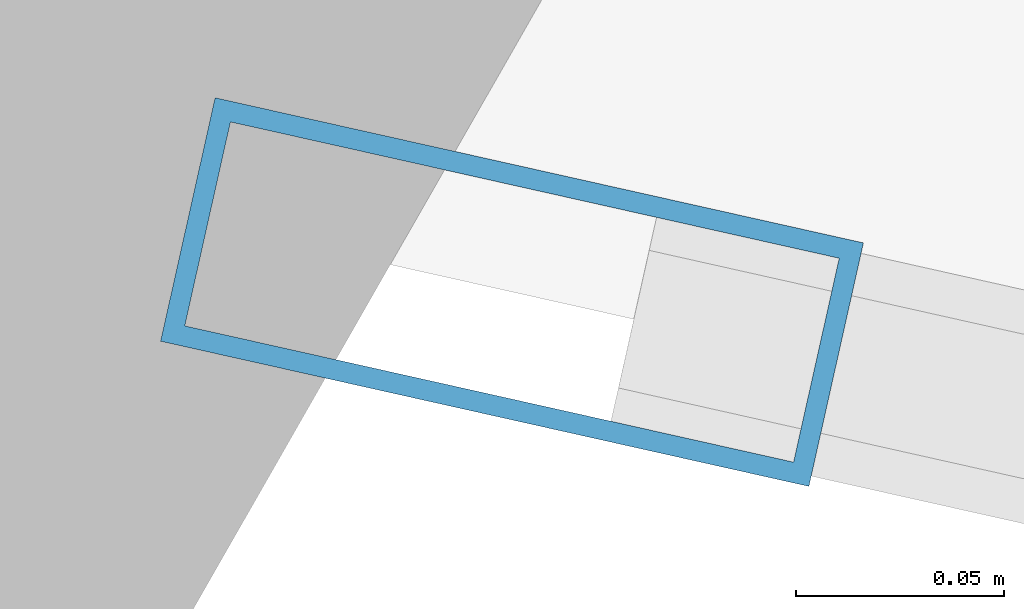
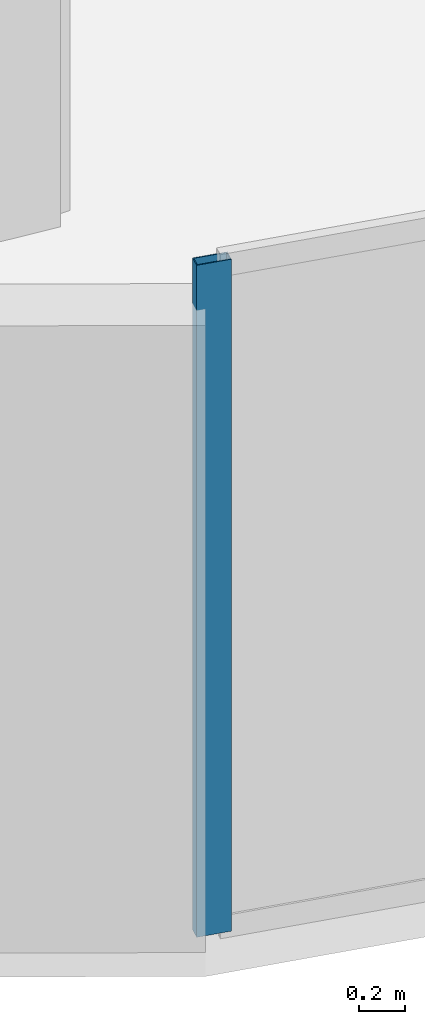
# One storey, part 2 of 23: 1 member, 1 element without a shape of its own.
"""IFC4 building model written with IfcOpenShell, lengths in metres."""

import ifcopenshell
import ifcopenshell.guid

model = None  # the IFC model being written
_history = None  # IfcOwnerHistory: only IFC2X3 demands one
_inside = {}  # id of a spatial element -> (the spatial element, [elements in it])
_under = {}  # id of a project, library or spatial element -> (it, [spatial elements below it])
_declared = {}  # id of a project -> (the project, [libraries it declares])
_typed = {}  # id of a type object -> (the type object, [elements of that type])
_made_of = {}  # id of a material, layer set ... -> (it, [elements and type objects made of it])


def new_model(schema):
    """Start an empty IFC model of exactly this schema.

    Asked for "IFC4X3", IfcOpenShell would pick the latest addendum, in which some entities
    have other attributes; the version numbers below select the first issue.
    IFC2X3 requires an IfcOwnerHistory on every rooted entity: one is made here for all.
    """
    global model, _history
    if schema == "IFC4X3":
        model = ifcopenshell.file(schema_version=(4, 3, 0, 0))
    else:
        model = ifcopenshell.file(schema=schema)
    _inside.clear()
    _under.clear()
    _declared.clear()
    _typed.clear()
    _made_of.clear()
    _history = None
    if model.schema == "IFC2X3":
        org = make("IfcOrganization", Name="unknown")
        user = make(
            "IfcPersonAndOrganization",
            ThePerson=make("IfcPerson", FamilyName="unknown"),
            TheOrganization=org,
        )
        app = make(
            "IfcApplication",
            ApplicationDeveloper=org,
            Version="unknown",
            ApplicationFullName="unknown",
            ApplicationIdentifier="unknown",
        )
        _history = make(
            "IfcOwnerHistory",
            OwningUser=user,
            OwningApplication=app,
            ChangeAction="ADDED",
            CreationDate=0,
        )
    return model


def make(cls, **values):
    """One entity of the class cls with the attributes given. An attribute that is None is left unset."""
    return model.create_entity(
        cls, **{name: value for name, value in values.items() if value is not None}
    )


def rooted(cls, **values):
    """An entity with a GlobalId (a new one), such as an element, a storey or a relation."""
    return make(cls, GlobalId=ifcopenshell.guid.new(), OwnerHistory=_history, **values)


def si_unit(unit_type, name, prefix=None):
    """IfcSIUnit, for example si_unit("LENGTHUNIT", "METRE", prefix="MILLI")."""
    return make("IfcSIUnit", UnitType=unit_type, Prefix=prefix, Name=name)


def assignment(units):
    """IfcUnitAssignment: the units of a project."""
    return None if units is None else make("IfcUnitAssignment", Units=units)


def point(xyz):
    """IfcCartesianPoint."""
    return None if xyz is None else make("IfcCartesianPoint", Coordinates=xyz)


def direction(xyz):
    """IfcDirection."""
    return None if xyz is None else make("IfcDirection", DirectionRatios=xyz)


def frame(location, z_axis=None, x_axis=None):
    """IfcAxis2Placement3D, a coordinate frame: its origin and axes. An axis left out is left unset."""
    return make(
        "IfcAxis2Placement3D",
        Location=point(location),
        Axis=direction(z_axis),
        RefDirection=direction(x_axis),
    )


def frame_2d(location, x_axis=None):
    """IfcAxis2Placement2D, a coordinate frame in the plane: its origin and x axis."""
    return make(
        "IfcAxis2Placement2D", Location=point(location), RefDirection=direction(x_axis)
    )


def origin():
    """The frame at (0, 0, 0) with its axes left unset."""
    return frame((0.0, 0.0, 0.0))


def origin_2d():
    """The frame at (0, 0) in the plane with its x axis left unset."""
    return frame_2d((0.0, 0.0))


def place(relative_to, where):
    """IfcLocalPlacement: puts the frame where relative to a parent placement (None: the world)."""
    return make(
        "IfcLocalPlacement", PlacementRelTo=relative_to, RelativePlacement=where
    )


def context(
    kind, dimensions, precision=None, world=None, true_north=None, identifier=None
):
    """IfcGeometricRepresentationContext, for example the 3D "Model" context."""
    return make(
        "IfcGeometricRepresentationContext",
        ContextIdentifier=identifier,
        ContextType=kind,
        CoordinateSpaceDimension=dimensions,
        Precision=precision,
        WorldCoordinateSystem=world,
        TrueNorth=true_north,
    )


def subcontext(parent, identifier, kind, view, scale=None):
    """IfcGeometricRepresentationSubContext, for example "Body" below "Model"."""
    return make(
        "IfcGeometricRepresentationSubContext",
        ContextIdentifier=identifier,
        ContextType=kind,
        ParentContext=parent,
        TargetScale=scale,
        TargetView=view,
    )


def project(units=None, contexts=None):
    """IfcProject with its units and contexts."""
    return rooted(
        "IfcProject",
        Name="project",
        RepresentationContexts=contexts,
        UnitsInContext=assignment(units),
    )


def spatial(cls, under=None, at=None, **own):
    """A site, building, storey or space (cls), placed at a placement, below another one or the project."""
    s = rooted(cls, ObjectPlacement=at, **own)
    if under is not None:
        _under.setdefault(under.id(), (under, []))[1].append(s)
    return s


def profile(cls, at=None, kind="AREA", **sizes):
    """A parametric profile (cls). Its sizes go by their IFC names, for example OverallWidth=200.0."""
    return make(cls, ProfileType=kind, Position=at, **sizes)


def hollow_rectangle(**sizes):
    """IfcRectangleHollowProfileDef."""
    return profile("IfcRectangleHollowProfileDef", **sizes)


def extrude(swept, where, along, depth):
    """IfcExtrudedAreaSolid: the profile swept, set in the frame where, extruded along a direction by depth."""
    return make(
        "IfcExtrudedAreaSolid",
        SweptArea=swept,
        Position=where,
        ExtrudedDirection=direction(along),
        Depth=depth,
    )


def shape(context_of_items, identifier, shape_type, items):
    """IfcShapeRepresentation: the items that make up one representation, for example the "Body"."""
    return make(
        "IfcShapeRepresentation",
        ContextOfItems=context_of_items,
        RepresentationIdentifier=identifier,
        RepresentationType=shape_type,
        Items=items,
    )


def source(mapping_origin, context_of_items, identifier, shape_type, items):
    """IfcRepresentationMap: a shape defined once, which mapped items show again and again."""
    return make(
        "IfcRepresentationMap",
        MappingOrigin=mapping_origin,
        MappedRepresentation=shape(context_of_items, identifier, shape_type, items),
    )


def transform(
    local_origin,
    x_axis=None,
    y_axis=None,
    z_axis=None,
    scale=None,
    scale2=None,
    scale3=None,
    uniform=True,
):
    """IfcCartesianTransformationOperator3D, or its non-uniform kind. x_axis, y_axis, z_axis: its Axis1, 2, 3."""
    if uniform:
        return make(
            "IfcCartesianTransformationOperator3D",
            Axis1=direction(x_axis),
            Axis2=direction(y_axis),
            LocalOrigin=point(local_origin),
            Scale=scale,
            Axis3=direction(z_axis),
        )
    return make(
        "IfcCartesianTransformationOperator3DnonUniform",
        Axis1=direction(x_axis),
        Axis2=direction(y_axis),
        LocalOrigin=point(local_origin),
        Scale=scale,
        Axis3=direction(z_axis),
        Scale2=scale2,
        Scale3=scale3,
    )


def mapped(mapping_source, mapping_target):
    """IfcMappedItem: shows the shape of a source again, moved by a transform."""
    return make(
        "IfcMappedItem", MappingSource=mapping_source, MappingTarget=mapping_target
    )


def material(Name=None, Category=None):
    """IfcMaterial."""
    return make("IfcMaterial", Name=Name, Category=Category)


def layer(
    of_material, thickness, ventilated=None, Name=None, Category=None, Priority=None
):
    """IfcMaterialLayer: one layer of a wall or slab, of a material (None: an air gap)."""
    return make(
        "IfcMaterialLayer",
        Material=of_material,
        LayerThickness=thickness,
        IsVentilated=ventilated,
        Name=Name,
        Category=Category,
        Priority=Priority,
    )


def layer_set(layers, Name=None):
    """IfcMaterialLayerSet."""
    return make("IfcMaterialLayerSet", MaterialLayers=layers, LayerSetName=Name)


def material_profile(
    of_material, cross_section, Name=None, Category=None, Priority=None
):
    """IfcMaterialProfile: a cross section and its material."""
    return make(
        "IfcMaterialProfile",
        Name=Name,
        Material=of_material,
        Profile=cross_section,
        Priority=Priority,
        Category=Category,
    )


def profile_set(profiles, Name=None, composite=None):
    """IfcMaterialProfileSet."""
    return make(
        "IfcMaterialProfileSet",
        Name=Name,
        MaterialProfiles=profiles,
        CompositeProfile=composite,
    )


def made_of(thing, what):
    """Note that an element or type object is made of a material, layer set ...; save() writes the relation."""
    if what is not None:
        _made_of.setdefault(what.id(), (what, []))[1].append(thing)
    return thing


def type_object(cls, material=None, **own):
    """A type object (cls), such as IfcWallType, which elements share."""
    return made_of(rooted(cls, **own), material)


def element(
    cls,
    number,
    at=None,
    inside=None,
    cuts=None,
    type_object=None,
    material=None,
    context=None,
    identifier="Body",
    shape_type=None,
    held_by="IfcProductDefinitionShape",
    body=None,
    shapes=None,
    **own,
):
    """One element of the class cls, such as IfcWall. Its Tag is "e" and its number.

    at: its placement. inside: the storey or other place that contains it. cuts: it is an
    opening in that element (IfcRelVoidsElement). A single representation is given by context,
    identifier, shape_type and body (its items); several are given by shapes. held_by: the class
    of the entity that holds the representations. save() writes the other relations.
    """
    e = rooted(cls, Tag="e%d" % number, ObjectPlacement=at, **own)
    if body is not None:
        shapes = [shape(context, identifier, shape_type, body)]
    if shapes is not None:
        e.Representation = make(held_by, Representations=shapes)
    if inside is not None:
        _inside.setdefault(inside.id(), (inside, []))[1].append(e)
    if cuts is not None:
        rooted(
            "IfcRelVoidsElement", RelatingBuildingElement=cuts, RelatedOpeningElement=e
        )
    if type_object is not None:
        _typed.setdefault(type_object.id(), (type_object, []))[1].append(e)
    return made_of(e, material)


def aggregate(whole, parts):
    """IfcRelAggregates: a whole, such as a stair, and the parts it consists of."""
    return rooted("IfcRelAggregates", RelatingObject=whole, RelatedObjects=parts)


def save(model, path):
    """Write the relations noted so far, then the file.

    IfcRelAggregates (storeys below a building ...), IfcRelContainedInSpatialStructure (elements
    in a storey), IfcRelDefinesByType, IfcRelAssociatesMaterial and IfcRelDeclares: one each for
    every whole, place, type object, material and project.
    """
    for whole, parts in _under.values():
        aggregate(whole, parts)
    for where, things in _inside.values():
        rooted(
            "IfcRelContainedInSpatialStructure",
            RelatedElements=things,
            RelatingStructure=where,
        )
    for kind, things in _typed.values():
        rooted("IfcRelDefinesByType", RelatedObjects=things, RelatingType=kind)
    for what, things in _made_of.values():
        rooted("IfcRelAssociatesMaterial", RelatedObjects=things, RelatingMaterial=what)
    for by, libraries in _declared.values():
        rooted("IfcRelDeclares", RelatingContext=by, RelatedDefinitions=libraries)
    model.write(path)


model = new_model("IFC4")

# Units and contexts
model_context = context("Model", 3, precision=1e-05, world=origin(), true_north=direction((0.0, 1.0)))
body_context = subcontext(model_context, "Body", "Model", "MODEL_VIEW")
ifc_project = project(units=[si_unit("LENGTHUNIT", "METRE"), si_unit("AREAUNIT", "SQUARE_METRE"), si_unit("VOLUMEUNIT", "CUBIC_METRE"), si_unit("PLANEANGLEUNIT", "RADIAN"), si_unit("MASSUNIT", "GRAM", prefix="KILO")], contexts=[model_context])

# Site, building, storey
site_placement = place(None, origin())
site = spatial("IfcSite", under=ifc_project, at=site_placement, CompositionType="ELEMENT")
building_placement = place(site_placement, origin())
building = spatial("IfcBuilding", under=site, at=building_placement, Name="Solvirekh Grand Hotel", CompositionType="ELEMENT")
storey_placement = place(building_placement, frame((0.0, 0.0, 173.199951171875)))
storey = spatial("IfcBuildingStorey", under=building, at=storey_placement, Name="L44", CompositionType="ELEMENT", Elevation=173.199951171875)

# Curtain wall, member
ifc_material = material(Name="Anodized Bronze Aluminium 6063-T6", Category="aluminium")
ifc_layer = layer(ifc_material, 0.159912109375)
ifc_layer_set = layer_set([ifc_layer], Name="Anodized Bronze Aluminium 6063-T6")
curtain_wall_type = type_object("IfcCurtainWallType", Name="CW_Sys4_HighZoneFlushBronzeCW", PredefinedType="NOTDEFINED", material=ifc_layer_set)
curtain_wall_placement = place(storey_placement, origin())
curtain_wall = element("IfcCurtainWall", 1, at=curtain_wall_placement, inside=storey, type_object=curtain_wall_type, Name="L44 unitised bronze-glass curtain wall CW-L44-C18", PredefinedType="NOTDEFINED")
ifc_material_profile = material_profile(ifc_material, hollow_rectangle(XDim=0.06005859375, YDim=0.159912109375, WallThickness=0.0048828125, at=origin_2d()), Name="ALU RHS 160X60X5")
ifc_profile_set = profile_set([ifc_material_profile], Name="Anodized Bronze Aluminium 6063-T6")
member_type = type_object("IfcMemberType", Name="CWMullion_Sys4", PredefinedType="MULLION", material=ifc_profile_set)
shared_shape = source(origin(), body_context, "Body", "SweptSolid", [
    extrude(hollow_rectangle(XDim=0.06005859375, YDim=0.159912109375, WallThickness=0.0048828125, at=origin_2d()), origin(), (0.0, 0.0, 1.0), 3.60009765625),
])
member_placement = place(storey_placement, frame((-5.960693359375, -19.404541015625, 0.0), z_axis=(0.0, 0.0, 1.0), x_axis=(0.218487916144, 0.975839654092, 0.0)))
member = element("IfcMember", 2, at=member_placement, type_object=member_type, Name="U04 mullion 1", PredefinedType="MULLION", context=body_context, shape_type="MappedRepresentation", body=[
    mapped(shared_shape, transform((0.0, 0.0, 0.0), x_axis=(1.0, 0.0, 0.0), y_axis=(0.0, 1.0, 0.0), z_axis=(0.0, 0.0, 1.0), scale=1.0)),
])
aggregate(curtain_wall, [member])

save(model, "model.ifc")
